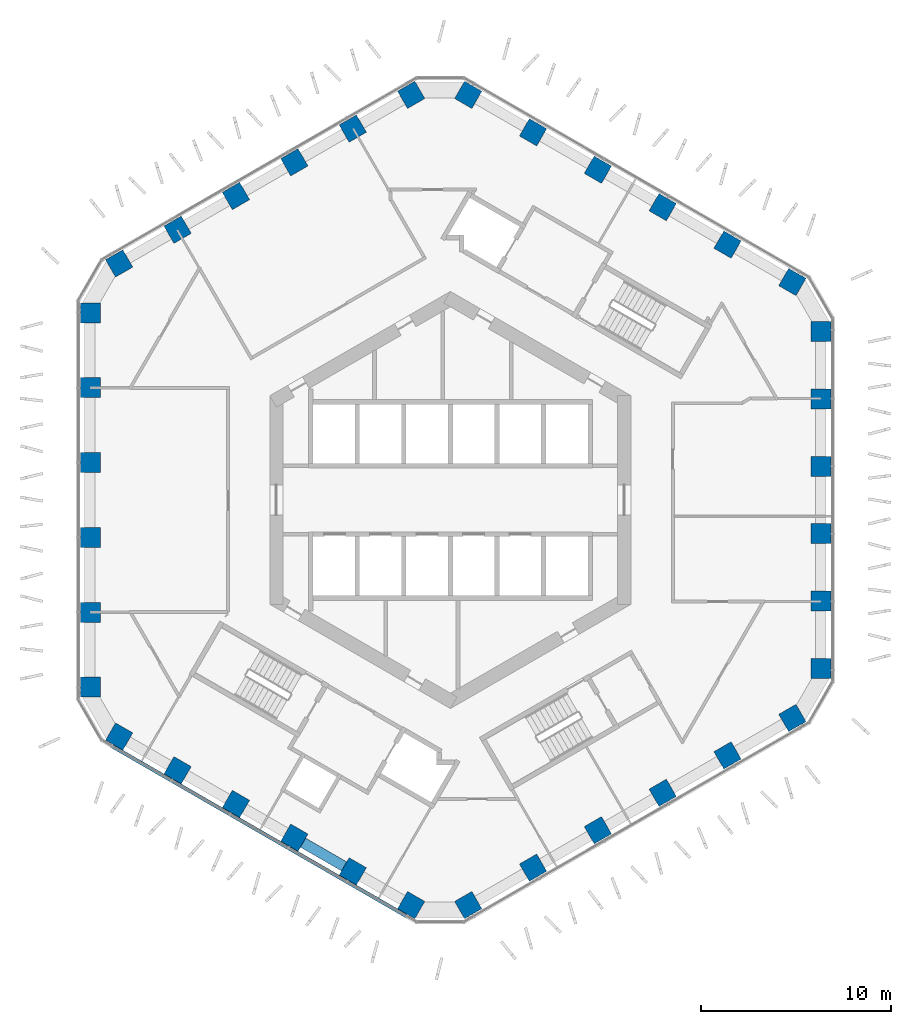
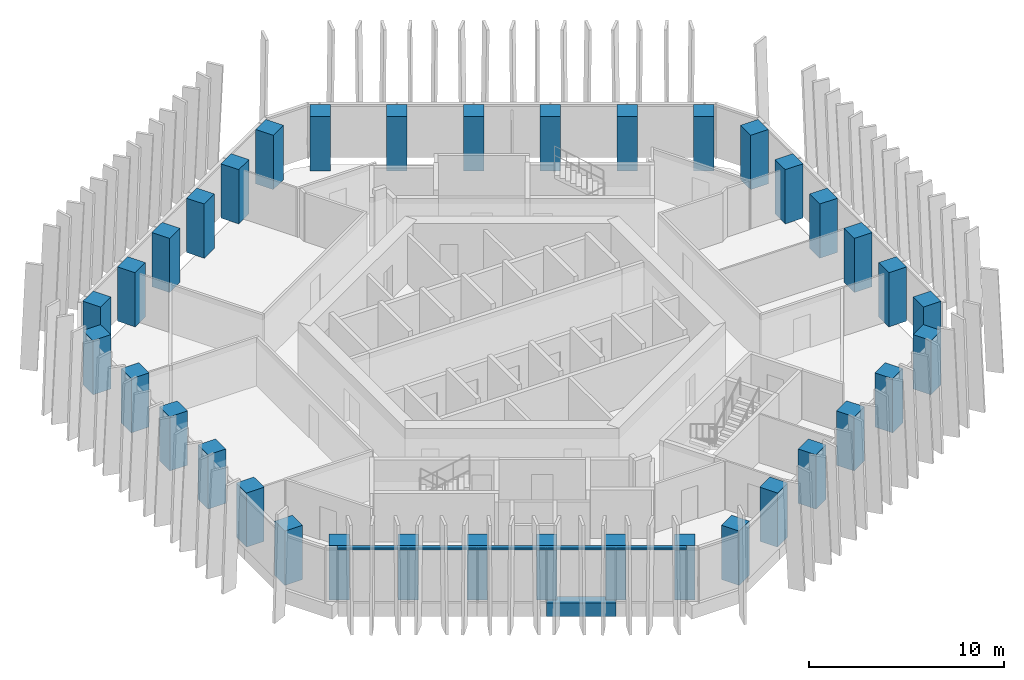
# One storey, part 1 of 19: 36 columns, 1 beam, 1 member, 1 element without a shape of its own.
"""IFC4 building model written with IfcOpenShell, lengths in metres."""

import ifcopenshell
import ifcopenshell.guid

model = None  # the IFC model being written
_history = None  # IfcOwnerHistory: only IFC2X3 demands one
_inside = {}  # id of a spatial element -> (the spatial element, [elements in it])
_under = {}  # id of a project, library or spatial element -> (it, [spatial elements below it])
_declared = {}  # id of a project -> (the project, [libraries it declares])
_typed = {}  # id of a type object -> (the type object, [elements of that type])
_made_of = {}  # id of a material, layer set ... -> (it, [elements and type objects made of it])


def new_model(schema):
    """Start an empty IFC model of exactly this schema.

    Asked for "IFC4X3", IfcOpenShell would pick the latest addendum, in which some entities
    have other attributes; the version numbers below select the first issue.
    IFC2X3 requires an IfcOwnerHistory on every rooted entity: one is made here for all.
    """
    global model, _history
    if schema == "IFC4X3":
        model = ifcopenshell.file(schema_version=(4, 3, 0, 0))
    else:
        model = ifcopenshell.file(schema=schema)
    _inside.clear()
    _under.clear()
    _declared.clear()
    _typed.clear()
    _made_of.clear()
    _history = None
    if model.schema == "IFC2X3":
        org = make("IfcOrganization", Name="unknown")
        user = make(
            "IfcPersonAndOrganization",
            ThePerson=make("IfcPerson", FamilyName="unknown"),
            TheOrganization=org,
        )
        app = make(
            "IfcApplication",
            ApplicationDeveloper=org,
            Version="unknown",
            ApplicationFullName="unknown",
            ApplicationIdentifier="unknown",
        )
        _history = make(
            "IfcOwnerHistory",
            OwningUser=user,
            OwningApplication=app,
            ChangeAction="ADDED",
            CreationDate=0,
        )
    return model


def make(cls, **values):
    """One entity of the class cls with the attributes given. An attribute that is None is left unset."""
    return model.create_entity(
        cls, **{name: value for name, value in values.items() if value is not None}
    )


def rooted(cls, **values):
    """An entity with a GlobalId (a new one), such as an element, a storey or a relation."""
    return make(cls, GlobalId=ifcopenshell.guid.new(), OwnerHistory=_history, **values)


def si_unit(unit_type, name, prefix=None):
    """IfcSIUnit, for example si_unit("LENGTHUNIT", "METRE", prefix="MILLI")."""
    return make("IfcSIUnit", UnitType=unit_type, Prefix=prefix, Name=name)


def assignment(units):
    """IfcUnitAssignment: the units of a project."""
    return None if units is None else make("IfcUnitAssignment", Units=units)


def point(xyz):
    """IfcCartesianPoint."""
    return None if xyz is None else make("IfcCartesianPoint", Coordinates=xyz)


def direction(xyz):
    """IfcDirection."""
    return None if xyz is None else make("IfcDirection", DirectionRatios=xyz)


def frame(location, z_axis=None, x_axis=None):
    """IfcAxis2Placement3D, a coordinate frame: its origin and axes. An axis left out is left unset."""
    return make(
        "IfcAxis2Placement3D",
        Location=point(location),
        Axis=direction(z_axis),
        RefDirection=direction(x_axis),
    )


def frame_2d(location, x_axis=None):
    """IfcAxis2Placement2D, a coordinate frame in the plane: its origin and x axis."""
    return make(
        "IfcAxis2Placement2D", Location=point(location), RefDirection=direction(x_axis)
    )


def origin():
    """The frame at (0, 0, 0) with its axes left unset."""
    return frame((0.0, 0.0, 0.0))


def origin_2d():
    """The frame at (0, 0) in the plane with its x axis left unset."""
    return frame_2d((0.0, 0.0))


def place(relative_to, where):
    """IfcLocalPlacement: puts the frame where relative to a parent placement (None: the world)."""
    return make(
        "IfcLocalPlacement", PlacementRelTo=relative_to, RelativePlacement=where
    )


def context(
    kind, dimensions, precision=None, world=None, true_north=None, identifier=None
):
    """IfcGeometricRepresentationContext, for example the 3D "Model" context."""
    return make(
        "IfcGeometricRepresentationContext",
        ContextIdentifier=identifier,
        ContextType=kind,
        CoordinateSpaceDimension=dimensions,
        Precision=precision,
        WorldCoordinateSystem=world,
        TrueNorth=true_north,
    )


def subcontext(parent, identifier, kind, view, scale=None):
    """IfcGeometricRepresentationSubContext, for example "Body" below "Model"."""
    return make(
        "IfcGeometricRepresentationSubContext",
        ContextIdentifier=identifier,
        ContextType=kind,
        ParentContext=parent,
        TargetScale=scale,
        TargetView=view,
    )


def project(units=None, contexts=None):
    """IfcProject with its units and contexts."""
    return rooted(
        "IfcProject",
        Name="project",
        RepresentationContexts=contexts,
        UnitsInContext=assignment(units),
    )


def spatial(cls, under=None, at=None, **own):
    """A site, building, storey or space (cls), placed at a placement, below another one or the project."""
    s = rooted(cls, ObjectPlacement=at, **own)
    if under is not None:
        _under.setdefault(under.id(), (under, []))[1].append(s)
    return s


def profile(cls, at=None, kind="AREA", **sizes):
    """A parametric profile (cls). Its sizes go by their IFC names, for example OverallWidth=200.0."""
    return make(cls, ProfileType=kind, Position=at, **sizes)


def rectangle(**sizes):
    """IfcRectangleProfileDef."""
    return profile("IfcRectangleProfileDef", **sizes)


def extrude(swept, where, along, depth):
    """IfcExtrudedAreaSolid: the profile swept, set in the frame where, extruded along a direction by depth."""
    return make(
        "IfcExtrudedAreaSolid",
        SweptArea=swept,
        Position=where,
        ExtrudedDirection=direction(along),
        Depth=depth,
    )


def shape(context_of_items, identifier, shape_type, items):
    """IfcShapeRepresentation: the items that make up one representation, for example the "Body"."""
    return make(
        "IfcShapeRepresentation",
        ContextOfItems=context_of_items,
        RepresentationIdentifier=identifier,
        RepresentationType=shape_type,
        Items=items,
    )


def material(Name=None, Category=None):
    """IfcMaterial."""
    return make("IfcMaterial", Name=Name, Category=Category)


def layer(
    of_material, thickness, ventilated=None, Name=None, Category=None, Priority=None
):
    """IfcMaterialLayer: one layer of a wall or slab, of a material (None: an air gap)."""
    return make(
        "IfcMaterialLayer",
        Material=of_material,
        LayerThickness=thickness,
        IsVentilated=ventilated,
        Name=Name,
        Category=Category,
        Priority=Priority,
    )


def layer_set(layers, Name=None):
    """IfcMaterialLayerSet."""
    return make("IfcMaterialLayerSet", MaterialLayers=layers, LayerSetName=Name)


def material_profile(
    of_material, cross_section, Name=None, Category=None, Priority=None
):
    """IfcMaterialProfile: a cross section and its material."""
    return make(
        "IfcMaterialProfile",
        Name=Name,
        Material=of_material,
        Profile=cross_section,
        Priority=Priority,
        Category=Category,
    )


def profile_set(profiles, Name=None, composite=None):
    """IfcMaterialProfileSet."""
    return make(
        "IfcMaterialProfileSet",
        Name=Name,
        MaterialProfiles=profiles,
        CompositeProfile=composite,
    )


def made_of(thing, what):
    """Note that an element or type object is made of a material, layer set ...; save() writes the relation."""
    if what is not None:
        _made_of.setdefault(what.id(), (what, []))[1].append(thing)
    return thing


def type_object(cls, material=None, **own):
    """A type object (cls), such as IfcWallType, which elements share."""
    return made_of(rooted(cls, **own), material)


def element(
    cls,
    number,
    at=None,
    inside=None,
    cuts=None,
    type_object=None,
    material=None,
    context=None,
    identifier="Body",
    shape_type=None,
    held_by="IfcProductDefinitionShape",
    body=None,
    shapes=None,
    **own,
):
    """One element of the class cls, such as IfcWall. Its Tag is "e" and its number.

    at: its placement. inside: the storey or other place that contains it. cuts: it is an
    opening in that element (IfcRelVoidsElement). A single representation is given by context,
    identifier, shape_type and body (its items); several are given by shapes. held_by: the class
    of the entity that holds the representations. save() writes the other relations.
    """
    e = rooted(cls, Tag="e%d" % number, ObjectPlacement=at, **own)
    if body is not None:
        shapes = [shape(context, identifier, shape_type, body)]
    if shapes is not None:
        e.Representation = make(held_by, Representations=shapes)
    if inside is not None:
        _inside.setdefault(inside.id(), (inside, []))[1].append(e)
    if cuts is not None:
        rooted(
            "IfcRelVoidsElement", RelatingBuildingElement=cuts, RelatedOpeningElement=e
        )
    if type_object is not None:
        _typed.setdefault(type_object.id(), (type_object, []))[1].append(e)
    return made_of(e, material)


def aggregate(whole, parts):
    """IfcRelAggregates: a whole, such as a stair, and the parts it consists of."""
    return rooted("IfcRelAggregates", RelatingObject=whole, RelatedObjects=parts)


def save(model, path):
    """Write the relations noted so far, then the file.

    IfcRelAggregates (storeys below a building ...), IfcRelContainedInSpatialStructure (elements
    in a storey), IfcRelDefinesByType, IfcRelAssociatesMaterial and IfcRelDeclares: one each for
    every whole, place, type object, material and project.
    """
    for whole, parts in _under.values():
        aggregate(whole, parts)
    for where, things in _inside.values():
        rooted(
            "IfcRelContainedInSpatialStructure",
            RelatedElements=things,
            RelatingStructure=where,
        )
    for kind, things in _typed.values():
        rooted("IfcRelDefinesByType", RelatedObjects=things, RelatingType=kind)
    for what, things in _made_of.values():
        rooted("IfcRelAssociatesMaterial", RelatedObjects=things, RelatingMaterial=what)
    for by, libraries in _declared.values():
        rooted("IfcRelDeclares", RelatingContext=by, RelatedDefinitions=libraries)
    model.write(path)


model = new_model("IFC4")

# Units and contexts
model_context = context("Model", 3, precision=1e-05, world=origin(), true_north=direction((0.0, 1.0)))
body_context = subcontext(model_context, "Body", "Model", "MODEL_VIEW")
ifc_project = project(units=[si_unit("LENGTHUNIT", "METRE"), si_unit("AREAUNIT", "SQUARE_METRE"), si_unit("VOLUMEUNIT", "CUBIC_METRE"), si_unit("PLANEANGLEUNIT", "RADIAN"), si_unit("MASSUNIT", "GRAM", prefix="KILO")], contexts=[model_context])

# Site, building, storey
site_placement = place(None, origin())
site = spatial("IfcSite", under=ifc_project, at=site_placement, CompositionType="ELEMENT")
building_placement = place(site_placement, origin())
building = spatial("IfcBuilding", under=site, at=building_placement, Name="Ayvan Gate Tower", CompositionType="ELEMENT")
storey_placement = place(building_placement, frame((0.0, 0.0, 113.699951171875)))
storey = spatial("IfcBuildingStorey", under=building, at=storey_placement, Name="L30", CompositionType="ELEMENT", Elevation=113.699951171875)

# Columns
ifc_material_1 = material(Name="Concrete C60/75", Category="concrete")
ifc_material_profile_1 = material_profile(ifc_material_1, rectangle(XDim=1.050048828125, YDim=1.050048828125, at=origin_2d()), Name="RC 1050x1050")
ifc_profile_set_1 = profile_set([ifc_material_profile_1], Name="Concrete C60/75")
column_type = type_object("IfcColumnType", Name="Tube column RC 1050x1050 C60/75", PredefinedType="COLUMN", material=ifc_profile_set_1)
for number, where, z_axis, x_axis, name in (
    (1, (19.485595703125, -8.866943359375, 0.0), (0.0, 0.0, 1.0), (1.0, 0.0, 0.0), "C-T0-0-L30"),
    (2, (19.485595703125, -5.320068359375, 0.0), (0.0, 0.0, 1.0), (1.0, 0.0, 0.0), "C-T0-1-L30"),
    (3, (19.485595703125, -1.7734375, 0.0), (0.0, 0.0, 1.0), (1.0, 0.0, 0.0), "C-T0-2-L30"),
    (4, (19.485595703125, 1.7734375, 0.0), (0.0, 0.0, 1.0), (1.0, 0.0, 0.0), "C-T0-3-L30"),
    (5, (19.485595703125, 5.320068359375, 0.0), (0.0, 0.0, 1.0), (1.0, 0.0, 0.0), "C-T0-4-L30"),
    (6, (19.485595703125, 8.866943359375, 0.0), (0.0, 0.0, 1.0), (1.0, 0.0, 0.0), "C-T0-5-L30"),
    (7, (17.985595703125, 11.465087890625, 0.0), (0.0, 0.0, 1.0), (0.5, 0.866025403784, 0.0), "C-T1-0-L30"),
    (8, (14.57568359375, 13.43359375, 0.0), (0.0, 0.0, 1.0), (0.5, 0.866025403784, 0.0), "C-T1-1-L30"),
    (9, (11.165771484375, 15.40234375, 0.0), (0.0, 0.0, 1.0), (0.5, 0.866025403784, 0.0), "C-T1-2-L30"),
    (10, (7.755859375, 17.37109375, 0.0), (0.0, 0.0, 1.0), (0.5, 0.866025403784, 0.0), "C-T1-3-L30"),
    (11, (4.34619140625, 19.33984375, 0.0), (0.0, 0.0, 1.0), (0.5, 0.866025403784, 0.0), "C-T1-4-L30"),
    (12, (0.936279296875, 21.308349609375, 0.0), (0.0, 0.0, 1.0), (0.5, 0.866025403784, 0.0), "C-T1-5-L30"),
    (13, (-2.063720703125, 21.308349609375, 0.0), (0.0, 0.0, 1.0), (-0.5, 0.866025403784, 0.0), "C-T2-0-L30"),
    (14, (-5.135498046875, 19.53515625, 0.0), (0.0, 0.0, 1.0), (-0.5, 0.866025403784, 0.0), "C-T2-1-L30"),
    (15, (-8.20703125, 17.76171875, 0.0), (0.0, 0.0, 1.0), (-0.5, 0.866025403784, 0.0), "C-T2-2-L30"),
    (16, (-11.278564453125, 15.98828125, 0.0), (0.0, 0.0, 1.0), (-0.5, 0.866025403784, 0.0), "C-T2-3-L30"),
    (17, (-14.35009765625, 14.21484375, 0.0), (0.0, 0.0, 1.0), (-0.5, 0.866025403784, 0.0), "C-T2-4-L30"),
    (18, (-17.421875, 12.441650390625, 0.0), (0.0, 0.0, 1.0), (-0.5, 0.866025403784, 0.0), "C-T2-5-L30"),
    (19, (-18.921875, 9.843505859375, 0.0), (0.0, 0.0, 1.0), (-1.0, 0.0, 0.0), "C-T3-0-L30"),
    (20, (-18.921875, 5.906005859375, 0.0), (0.0, 0.0, 1.0), (-1.0, 0.0, 0.0), "C-T3-1-L30"),
    (21, (-18.921875, 1.96875, 0.0), (0.0, 0.0, 1.0), (-1.0, 0.0, 0.0), "C-T3-2-L30"),
    (22, (-18.921875, -1.96875, 0.0), (0.0, 0.0, 1.0), (-1.0, 0.0, 0.0), "C-T3-3-L30"),
    (23, (-18.921875, -5.906005859375, 0.0), (0.0, 0.0, 1.0), (-1.0, 0.0, 0.0), "C-T3-4-L30"),
    (24, (-18.921875, -9.843505859375, 0.0), (0.0, 0.0, 1.0), (-1.0, 0.0, 0.0), "C-T3-5-L30"),
    (25, (-17.421875, -12.441650390625, 0.0), (0.0, 0.0, 1.0), (-0.5, -0.866025403784, 0.0), "C-T4-0-L30"),
    (26, (-14.35009765625, -14.21484375, 0.0), (0.0, 0.0, 1.0), (-0.5, -0.866025403784, 0.0), "C-T4-1-L30"),
    (27, (-11.278564453125, -15.98828125, 0.0), (0.0, 0.0, 1.0), (-0.5, -0.866025403784, 0.0), "C-T4-2-L30"),
    (28, (-8.20703125, -17.76171875, 0.0), (0.0, 0.0, 1.0), (-0.5, -0.866025403784, 0.0), "C-T4-3-L30"),
    (29, (-5.135498046875, -19.53515625, 0.0), (0.0, 0.0, 1.0), (-0.5, -0.866025403784, 0.0), "C-T4-4-L30"),
    (30, (-2.063720703125, -21.308349609375, 0.0), (0.0, 0.0, 1.0), (-0.5, -0.866025403784, 0.0), "C-T4-5-L30"),
    (31, (0.936279296875, -21.308349609375, 0.0), (0.0, 0.0, 1.0), (0.5, -0.866025403784, 0.0), "C-T5-0-L30"),
    (32, (4.34619140625, -19.33984375, 0.0), (0.0, 0.0, 1.0), (0.5, -0.866025403784, 0.0), "C-T5-1-L30"),
    (33, (7.755859375, -17.37109375, 0.0), (0.0, 0.0, 1.0), (0.5, -0.866025403784, 0.0), "C-T5-2-L30"),
    (34, (11.165771484375, -15.40234375, 0.0), (0.0, 0.0, 1.0), (0.5, -0.866025403784, 0.0), "C-T5-3-L30"),
    (35, (14.57568359375, -13.43359375, 0.0), (0.0, 0.0, 1.0), (0.5, -0.866025403784, 0.0), "C-T5-4-L30"),
    (36, (17.985595703125, -11.465087890625, 0.0), (0.0, 0.0, 1.0), (0.5, -0.866025403784, 0.0), "C-T5-5-L30"),
):
    element("IfcColumn", number, at=place(storey_placement, frame(where, z_axis=z_axis, x_axis=x_axis)), inside=storey, type_object=column_type, Name=name, PredefinedType="COLUMN", context=body_context, shape_type="SweptSolid", body=[
        extrude(rectangle(XDim=1.050048828125, YDim=1.050048828125, at=origin_2d()), origin(), (0.0, 0.0, 1.0), 3.400146484375),
    ])

# Beam
ifc_material_2 = material(Name="Concrete C40/50", Category="concrete")
ifc_material_profile_2 = material_profile(ifc_material_2, rectangle(XDim=0.550048828125, YDim=0.85009765625, at=origin_2d()), Name="RC 550x850")
ifc_profile_set_2 = profile_set([ifc_material_profile_2], Name="Concrete C40/50")
beam_type = type_object("IfcBeamType", Name="Spandrel beam RC 550x850 C40/50", PredefinedType="BEAM", material=ifc_profile_set_2)
beam_placement = place(storey_placement, frame((-8.1982421875, -17.7666015625, -0.77490234375), z_axis=(0.866014603225, -0.500018706652, 0.0), x_axis=(0.500018706652, 0.866014603225, 0.0)))
element("IfcBeam", 37, at=beam_placement, inside=storey, type_object=beam_type, Name="SB-L30-28", PredefinedType="BEAM", context=body_context, shape_type="SweptSolid", body=[
    extrude(rectangle(XDim=0.550048828125, YDim=0.85009765625, at=origin_2d()), origin(), (0.0, 0.0, 1.0), 3.566650390625),
])

# Curtain wall, member
ifc_material_3 = material(Name="Bronze anodised aluminium", Category="aluminium")
ifc_layer = layer(ifc_material_3, 0.199951171875)
ifc_layer_set = layer_set([ifc_layer], Name="Bronze anodised aluminium")
curtain_wall_type = type_object("IfcCurtainWallType", Name="Stick curtain wall CW-1", PredefinedType="NOTDEFINED", material=ifc_layer_set)
curtain_wall_placement = place(storey_placement, origin())
curtain_wall = element("IfcCurtainWall", 38, at=curtain_wall_placement, inside=storey, type_object=curtain_wall_type, Name="Stick curtain wall CW-1 L30", PredefinedType="NOTDEFINED")
ifc_material_profile_3 = material_profile(ifc_material_3, rectangle(XDim=0.199951171875, YDim=0.1201171875, at=origin_2d()), Name="Stick curtain wall CW-1 transom 200 x 120")
ifc_profile_set_3 = profile_set([ifc_material_profile_3], Name="Bronze anodised aluminium")
member_type = type_object("IfcMemberType", Name="Stick curtain wall CW-1 transom 200 x 120", PredefinedType="USERDEFINED", material=ifc_profile_set_3)
member_placement = place(storey_placement, frame((-17.809326171875, -12.939453125, 3.340087890625), z_axis=(0.866024615359, -0.500001365591, 0.0), x_axis=(0.500001365591, 0.866024615359, 0.0)))
member = element("IfcMember", 39, at=member_placement, type_object=member_type, Name="CW-1 transom 1", ObjectType="TRANSOM", PredefinedType="USERDEFINED", context=body_context, shape_type="SweptSolid", body=[
    extrude(rectangle(XDim=0.199951171875, YDim=0.1201171875, at=origin_2d()), origin(), (0.0, 0.0, 1.0), 17.9072265625),
])
aggregate(curtain_wall, [member])

save(model, "model.ifc")
